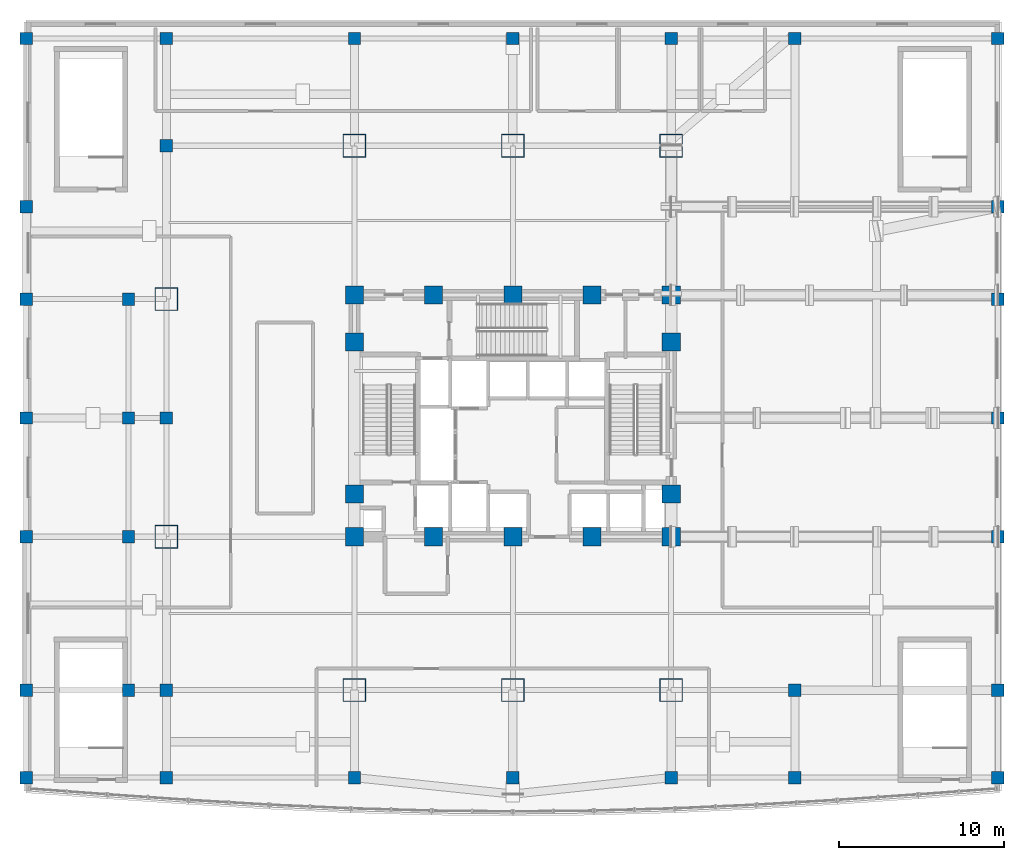
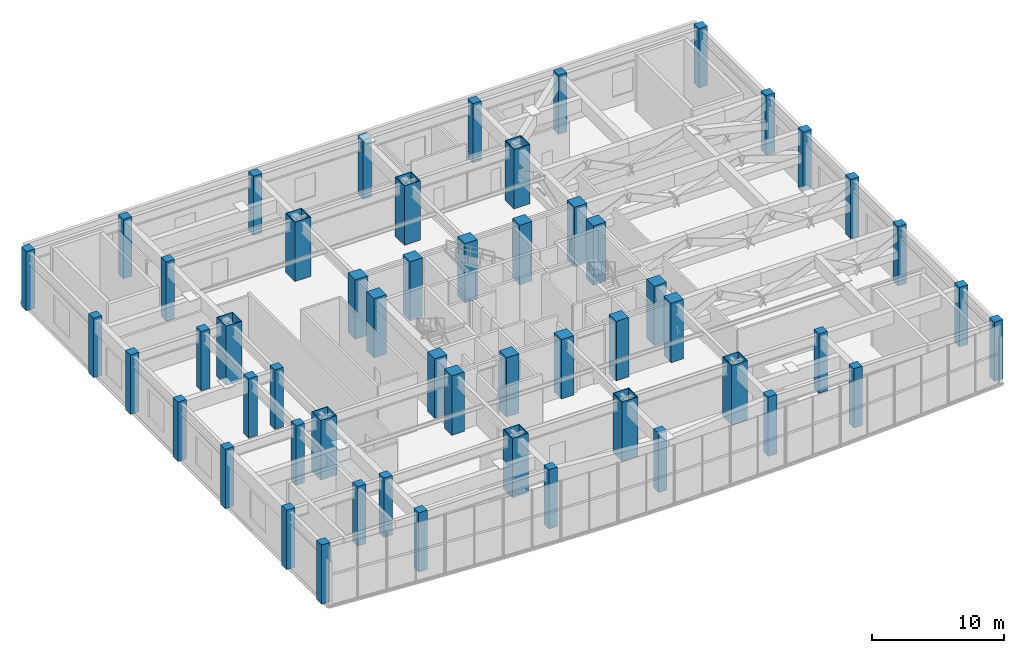
# One storey, part 1 of 19: 54 columns.
"""IFC4 building model written with IfcOpenShell, lengths in metres."""

from ifc_helpers import new_model, si_unit, direction, frame, origin, origin_2d, place, context, subcontext, project, spatial, rectangle, hollow_rectangle, extrude, material, material_profile, profile_set, type_object, element, save


model = new_model("IFC4")

# Units and contexts
model_context = context("Model", 3, precision=1e-05, world=origin(), true_north=direction((0.0, 1.0)))
body_context = subcontext(model_context, "Body", "Model", "MODEL_VIEW")
ifc_project = project(units=[si_unit("LENGTHUNIT", "METRE"), si_unit("AREAUNIT", "SQUARE_METRE"), si_unit("VOLUMEUNIT", "CUBIC_METRE"), si_unit("PLANEANGLEUNIT", "RADIAN"), si_unit("MASSUNIT", "GRAM", prefix="KILO")], contexts=[model_context])

# Site, building, storey
site_placement = place(None, origin())
site = spatial("IfcSite", under=ifc_project, at=site_placement, CompositionType="ELEMENT")
building_placement = place(site_placement, origin())
building = spatial("IfcBuilding", under=site, at=building_placement, Name="Vantalir Tower", CompositionType="ELEMENT")
storey_placement = place(building_placement, frame((0.0, 0.0, 21.5)))
storey = spatial("IfcBuildingStorey", under=building, at=storey_placement, Name="L04", CompositionType="ELEMENT", Elevation=21.5)

# Columns
ifc_material_1 = material(Name="Concrete C60/75", Category="concrete")
ifc_material_profile_1 = material_profile(ifc_material_1, rectangle(XDim=1.10009765625, YDim=1.10009765625, at=origin_2d()), Name="Concrete C60/75")
ifc_profile_set_1 = profile_set([ifc_material_profile_1], Name="Concrete C60/75")
column_type_1 = type_object("IfcColumnType", Name="COL-CC-1100", PredefinedType="COLUMN", material=ifc_profile_set_1)
for number, where, z_axis, x_axis, name in (
    (1, (21.89990234375, 17.800048828125, 0.0), (0.0, 0.0, 1.0), (1.0, 0.0, 0.0), "L04 Core Column CC01"),
    (2, (26.699951171875, 17.800048828125, 0.0), (0.0, 0.0, 1.0), (1.0, 0.0, 0.0), "L04 Core Column CC02"),
    (3, (31.5, 17.800048828125, 0.0), (0.0, 0.0, 1.0), (1.0, 0.0, 0.0), "L04 Core Column CC03"),
    (4, (36.300048828125, 17.800048828125, 0.0), (0.0, 0.0, 1.0), (1.0, 0.0, 0.0), "L04 Core Column CC04"),
    (5, (41.10009765625, 17.800048828125, 0.0), (0.0, 0.0, 1.0), (1.0, 0.0, 0.0), "L04 Core Column CC05"),
    (6, (21.89990234375, 20.39990234375, 0.0), (0.0, 0.0, 1.0), (1.0, 0.0, 0.0), "L04 Core Column CC06"),
    (7, (21.89990234375, 29.60009765625, 0.0), (0.0, 0.0, 1.0), (1.0, 0.0, 0.0), "L04 Core Column CC07"),
    (8, (41.10009765625, 20.39990234375, 0.0), (0.0, 0.0, 1.0), (1.0, 0.0, 0.0), "L04 Core Column CC08"),
    (9, (41.10009765625, 29.60009765625, 0.0), (0.0, 0.0, 1.0), (1.0, 0.0, 0.0), "L04 Core Column CC09"),
    (10, (21.89990234375, 32.449951171875, 0.0), (0.0, 0.0, 1.0), (1.0, 0.0, 0.0), "L04 Core Column CC10"),
    (11, (26.699951171875, 32.449951171875, 0.0), (0.0, 0.0, 1.0), (1.0, 0.0, 0.0), "L04 Core Column CC11"),
    (12, (31.5, 32.449951171875, 0.0), (0.0, 0.0, 1.0), (1.0, 0.0, 0.0), "L04 Core Column CC12"),
    (13, (36.300048828125, 32.449951171875, 0.0), (0.0, 0.0, 1.0), (1.0, 0.0, 0.0), "L04 Core Column CC13"),
    (14, (41.10009765625, 32.449951171875, 0.0), (0.0, 0.0, 1.0), (1.0, 0.0, 0.0), "L04 Core Column CC14"),
):
    element("IfcColumn", number, at=place(storey_placement, frame(where, z_axis=z_axis, x_axis=x_axis)), inside=storey, type_object=column_type_1, Name=name, PredefinedType="COLUMN", context=body_context, shape_type="SweptSolid", body=[
        extrude(rectangle(XDim=1.10009765625, YDim=1.10009765625, at=origin_2d()), origin(), (0.0, 0.0, 1.0), 5.5),
    ])
ifc_material_2 = material(Name="Steel S460", Category="steel")
ifc_material_profile_2 = material_profile(ifc_material_2, hollow_rectangle(XDim=1.39990234375, YDim=1.39990234375, WallThickness=0.050048828125, at=origin_2d()), Name="Steel S460")
ifc_profile_set_2 = profile_set([ifc_material_profile_2], Name="Steel S460")
column_type_2 = type_object("IfcColumnType", Name="COL-MC-1400", PredefinedType="COLUMN", material=ifc_profile_set_2)
for number, where, z_axis, x_axis, name in (
    (15, (21.89990234375, 8.5, 0.0), (0.0, 0.0, 1.0), (1.0, 0.0, 0.0), "L04 S460 Mega-Column MC01"),
    (16, (31.5, 8.5, 0.0), (0.0, 0.0, 1.0), (1.0, 0.0, 0.0), "L04 S460 Mega-Column MC02"),
    (17, (41.10009765625, 8.5, 0.0), (0.0, 0.0, 1.0), (1.0, 0.0, 0.0), "L04 S460 Mega-Column MC03"),
    (18, (10.5, 17.800048828125, 0.0), (0.0, 0.0, 1.0), (1.0, 0.0, 0.0), "L04 S460 Mega-Column MC04"),
    (19, (10.5, 32.199951171875, 0.0), (0.0, 0.0, 1.0), (1.0, 0.0, 0.0), "L04 S460 Mega-Column MC05"),
    (20, (21.89990234375, 41.5, 0.0), (0.0, 0.0, 1.0), (1.0, 0.0, 0.0), "L04 S460 Mega-Column MC06"),
    (21, (31.5, 41.5, 0.0), (0.0, 0.0, 1.0), (1.0, 0.0, 0.0), "L04 S460 Mega-Column MC07"),
    (22, (41.10009765625, 41.5, 0.0), (0.0, 0.0, 1.0), (1.0, 0.0, 0.0), "L04 S460 Mega-Column MC08"),
):
    element("IfcColumn", number, at=place(storey_placement, frame(where, z_axis=z_axis, x_axis=x_axis)), inside=storey, type_object=column_type_2, Name=name, PredefinedType="COLUMN", context=body_context, shape_type="SweptSolid", body=[
        extrude(hollow_rectangle(XDim=1.39990234375, YDim=1.39990234375, WallThickness=0.050048828125, at=origin_2d()), origin(), (0.0, 0.0, 1.0), 5.5),
    ])
ifc_material_3 = material(Name="Concrete C50/60", Category="concrete")
ifc_material_profile_3 = material_profile(ifc_material_3, rectangle(XDim=0.75, YDim=0.75, at=origin_2d()), Name="Concrete C50/60")
ifc_profile_set_3 = profile_set([ifc_material_profile_3], Name="Concrete C50/60")
column_type_3 = type_object("IfcColumnType", Name="COL-PC-750", PredefinedType="COLUMN", material=ifc_profile_set_3)
for number, where, z_axis, x_axis, name in (
    (23, (2.0, 3.199951171875, 0.0), (0.0, 0.0, 1.0), (1.0, 0.0, 0.0), "L04 Podium Column PC01"),
    (24, (8.199951171875, 8.5, 0.0), (0.0, 0.0, 1.0), (1.0, 0.0, 0.0), "L04 Podium Column PC02"),
    (25, (8.199951171875, 17.800048828125, 0.0), (0.0, 0.0, 1.0), (1.0, 0.0, 0.0), "L04 Podium Column PC03"),
    (26, (8.199951171875, 25.0, 0.0), (0.0, 0.0, 1.0), (1.0, 0.0, 0.0), "L04 Podium Column PC04"),
    (27, (8.199951171875, 32.199951171875, 0.0), (0.0, 0.0, 1.0), (1.0, 0.0, 0.0), "L04 Podium Column PC05"),
    (28, (2.0, 37.800048828125, 0.0), (0.0, 0.0, 1.0), (1.0, 0.0, 0.0), "L04 Podium Column PC06"),
    (29, (2.0, 48.0, 0.0), (0.0, 0.0, 1.0), (1.0, 0.0, 0.0), "L04 Podium Column PC07"),
    (30, (2.0, 8.5, 0.0), (0.0, 0.0, 1.0), (1.0, 0.0, 0.0), "L04 Podium Column PC08"),
    (31, (2.0, 17.800048828125, 0.0), (0.0, 0.0, 1.0), (1.0, 0.0, 0.0), "L04 Podium Column PC09"),
    (32, (2.0, 25.0, 0.0), (0.0, 0.0, 1.0), (1.0, 0.0, 0.0), "L04 Podium Column PC10"),
    (33, (2.0, 32.199951171875, 0.0), (0.0, 0.0, 1.0), (1.0, 0.0, 0.0), "L04 Podium Column PC11"),
    (34, (10.5, 3.199951171875, 0.0), (0.0, 0.0, 1.0), (1.0, 0.0, 0.0), "L04 Podium Column PC12"),
    (35, (10.5, 8.5, 0.0), (0.0, 0.0, 1.0), (1.0, 0.0, 0.0), "L04 Podium Column PC13"),
    (36, (10.5, 25.0, 0.0), (0.0, 0.0, 1.0), (1.0, 0.0, 0.0), "L04 Podium Column PC14"),
    (37, (10.5, 41.5, 0.0), (0.0, 0.0, 1.0), (1.0, 0.0, 0.0), "L04 Podium Column PC15"),
    (38, (10.5, 48.0, 0.0), (0.0, 0.0, 1.0), (1.0, 0.0, 0.0), "L04 Podium Column PC16"),
    (39, (21.89990234375, 3.199951171875, 0.0), (0.0, 0.0, 1.0), (1.0, 0.0, 0.0), "L04 Podium Column PC17"),
    (40, (31.5, 3.199951171875, 0.0), (0.0, 0.0, 1.0), (1.0, 0.0, 0.0), "L04 Podium Column PC18"),
    (41, (41.10009765625, 3.199951171875, 0.0), (0.0, 0.0, 1.0), (1.0, 0.0, 0.0), "L04 Podium Column PC19"),
    (42, (48.60009765625, 3.199951171875, 0.0), (0.0, 0.0, 1.0), (1.0, 0.0, 0.0), "L04 Podium Column PC20"),
    (43, (48.60009765625, 8.5, 0.0), (0.0, 0.0, 1.0), (1.0, 0.0, 0.0), "L04 Podium Column PC21"),
    (44, (21.89990234375, 48.0, 0.0), (0.0, 0.0, 1.0), (1.0, 0.0, 0.0), "L04 Podium Column PC22"),
    (45, (31.5, 48.0, 0.0), (0.0, 0.0, 1.0), (1.0, 0.0, 0.0), "L04 Podium Column PC23"),
    (46, (41.10009765625, 48.0, 0.0), (0.0, 0.0, 1.0), (1.0, 0.0, 0.0), "L04 Podium Column PC24"),
    (47, (48.60009765625, 48.0, 0.0), (0.0, 0.0, 1.0), (1.0, 0.0, 0.0), "L04 Podium Column PC25"),
    (48, (60.89990234375, 3.199951171875, 0.0), (0.0, 0.0, 1.0), (1.0, 0.0, 0.0), "L04 Podium Column PC30"),
    (49, (60.89990234375, 8.5, 0.0), (0.0, 0.0, 1.0), (1.0, 0.0, 0.0), "L04 Podium Column PC31"),
    (50, (60.89990234375, 17.800048828125, 0.0), (0.0, 0.0, 1.0), (1.0, 0.0, 0.0), "L04 Podium Column PC32"),
    (51, (60.89990234375, 25.0, 0.0), (0.0, 0.0, 1.0), (1.0, 0.0, 0.0), "L04 Podium Column PC33"),
    (52, (60.89990234375, 32.199951171875, 0.0), (0.0, 0.0, 1.0), (1.0, 0.0, 0.0), "L04 Podium Column PC34"),
    (53, (60.89990234375, 37.800048828125, 0.0), (0.0, 0.0, 1.0), (1.0, 0.0, 0.0), "L04 Podium Column PC35"),
    (54, (60.89990234375, 48.0, 0.0), (0.0, 0.0, 1.0), (1.0, 0.0, 0.0), "L04 Podium Column PC36"),
):
    element("IfcColumn", number, at=place(storey_placement, frame(where, z_axis=z_axis, x_axis=x_axis)), inside=storey, type_object=column_type_3, Name=name, PredefinedType="COLUMN", context=body_context, shape_type="SweptSolid", body=[
        extrude(rectangle(XDim=0.75, YDim=0.75, at=origin_2d()), origin(), (0.0, 0.0, 1.0), 5.5),
    ])

save(model, "model.ifc")
